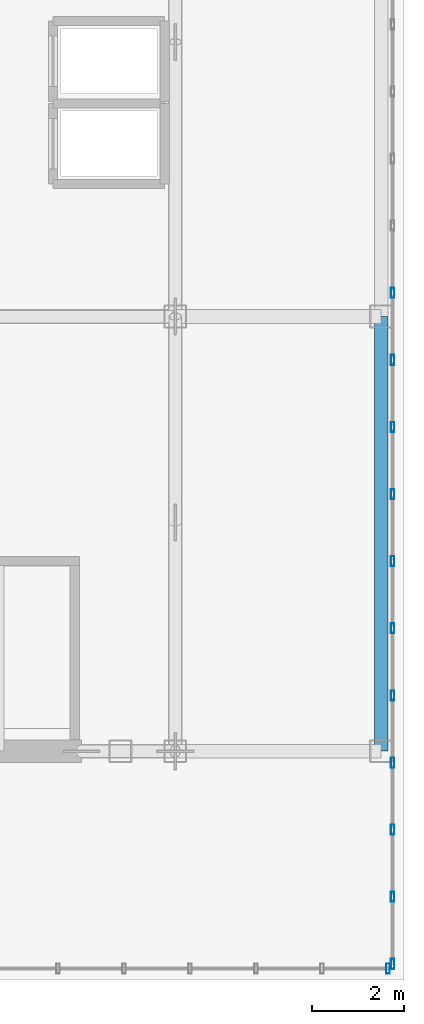
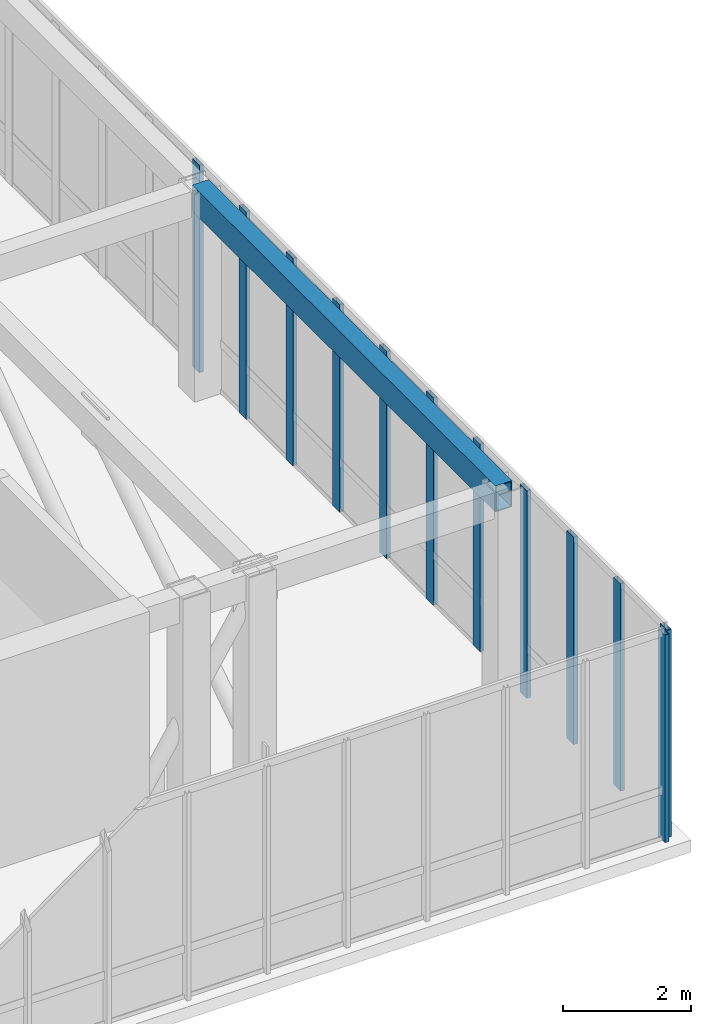
# One storey, part 6 of 13: 12 members, 1 beam, 2 elements without a shape of their own.
"""IFC4 building model written with IfcOpenShell, lengths in metres."""

from ifc_helpers import new_model, si_unit, direction, frame, origin, origin_2d, place, context, subcontext, project, spatial, hollow_rectangle, extrude, source, transform, mapped, material, layer, layer_set, material_profile, profile_set, type_object, element, aggregate, save


model = new_model("IFC4")

# Units and contexts
model_context = context("Model", 3, precision=1e-05, world=origin(), true_north=direction((0.0, 1.0)))
body_context = subcontext(model_context, "Body", "Model", "MODEL_VIEW")
ifc_project = project(units=[si_unit("LENGTHUNIT", "METRE"), si_unit("AREAUNIT", "SQUARE_METRE"), si_unit("VOLUMEUNIT", "CUBIC_METRE"), si_unit("PLANEANGLEUNIT", "RADIAN"), si_unit("MASSUNIT", "GRAM", prefix="KILO")], contexts=[model_context])

# Site, building, storey
site_placement = place(None, origin())
site = spatial("IfcSite", under=ifc_project, at=site_placement, CompositionType="ELEMENT")
building_placement = place(site_placement, origin())
building = spatial("IfcBuilding", under=site, at=building_placement, Name="Kharzan Plaza Tower", CompositionType="ELEMENT")
storey_placement = place(building_placement, frame((0.0, 0.0, 285.60009765625)))
storey = spatial("IfcBuildingStorey", under=building, at=storey_placement, Name="L77-CROWN", CompositionType="ELEMENT", Elevation=285.60009765625)

# Beam
ifc_material_1 = material(Name="Steel S355", Category="steel")
ifc_material_profile_1 = material_profile(ifc_material_1, hollow_rectangle(XDim=0.300048828125, YDim=0.5, WallThickness=0.02001953125, at=origin_2d()), Name="RHS500x300x20")
ifc_profile_set_1 = profile_set([ifc_material_profile_1], Name="Steel S355")
beam_type = type_object("IfcBeamType", Name="BM-CRN500", PredefinedType="BEAM", material=ifc_profile_set_1)
shared_shape_1 = source(origin(), body_context, "Body", "SweptSolid", [
    extrude(hollow_rectangle(XDim=0.300048828125, YDim=0.5, WallThickness=0.02001953125, at=origin_2d()), origin(), (0.0, 0.0, 1.0), 9.5),
])
beam_placement = place(storey_placement, frame((19.0, 8.5, 3.719970703125), z_axis=(0.0, 1.0, 0.0), x_axis=(-1.0, 0.0, 0.0)))
element("IfcBeam", 1, at=beam_placement, inside=storey, type_object=beam_type, Name="L77-CROWN CROWN FRAME Lantern Ring Beam CRB-E1", PredefinedType="BEAM", context=body_context, shape_type="MappedRepresentation", body=[
    mapped(shared_shape_1, transform((0.0, 0.0, 0.0), x_axis=(1.0, 0.0, 0.0), y_axis=(0.0, 1.0, 0.0), z_axis=(0.0, 0.0, 1.0))),
])

# Curtain wall, member
ifc_material_2 = material(Name="Unitised Bronze-Anodized Aluminium and Low-E Glass", Category="aluminium")
ifc_layer = layer(ifc_material_2, 0.199951171875)
ifc_layer_set = layer_set([ifc_layer], Name="Unitised Bronze-Anodized Aluminium and Low-E Glass")
curtain_wall_type = type_object("IfcCurtainWallType", Name="CW-LANTERN-6", PredefinedType="NOTDEFINED", material=ifc_layer_set)
curtain_wall_1_placement = place(storey_placement, origin())
curtain_wall_1 = element("IfcCurtainWall", 2, at=curtain_wall_1_placement, inside=storey, type_object=curtain_wall_type, Name="L77-CROWN Lantern Crown Illuminated Curtain Wall 1", PredefinedType="NOTDEFINED")
ifc_material_3 = material(Name="Anodized Bronze Aluminium", Category="aluminium")
ifc_material_profile_2 = material_profile(ifc_material_3, hollow_rectangle(XDim=0.074951171875, YDim=0.219970703125, WallThickness=0.00390625, at=origin_2d()), Name="ALU-M220x75x4")
ifc_profile_set_2 = profile_set([ifc_material_profile_2], Name="Anodized Bronze Aluminium")
member_type = type_object("IfcMemberType", Name="MEM-CW-MUL200", PredefinedType="MULLION", material=ifc_profile_set_2)
shared_shape_2 = source(origin(), body_context, "Body", "SweptSolid", [
    extrude(hollow_rectangle(XDim=0.074951171875, YDim=0.219970703125, WallThickness=0.00390625, at=origin_2d()), origin(), (0.0, 0.0, 1.0), 3.969970703125),
])
member_1_placement = place(storey_placement, frame((19.14990234375, 3.75, 0.0), z_axis=(0.0, 0.0, 1.0), x_axis=(1.0, 0.0, 0.0)))
member_1 = element("IfcMember", 3, at=member_1_placement, type_object=member_type, Name="L77-CROWN Curtain-Wall Mullion 12", PredefinedType="MULLION", context=body_context, shape_type="MappedRepresentation", body=[
    mapped(shared_shape_2, transform((0.0, 0.0, 0.0), x_axis=(1.0, 0.0, 0.0), y_axis=(0.0, 1.0, 0.0), z_axis=(0.0, 0.0, 1.0))),
])
aggregate(curtain_wall_1, [member_1])

# Curtain wall, members
curtain_wall_2_placement = place(storey_placement, origin())
curtain_wall_2 = element("IfcCurtainWall", 4, at=curtain_wall_2_placement, inside=storey, type_object=curtain_wall_type, Name="L77-CROWN Lantern Crown Illuminated Curtain Wall 2", PredefinedType="NOTDEFINED")
member_2_placement = place(storey_placement, frame((19.25, 3.85009765625, 0.0), z_axis=(0.0, 0.0, 1.0), x_axis=(1.0, 0.0, 0.0)))
member_2 = element("IfcMember", 5, at=member_2_placement, type_object=member_type, Name="L77-CROWN Curtain-Wall Mullion 00", PredefinedType="MULLION", context=body_context, shape_type="MappedRepresentation", body=[
    mapped(shared_shape_2, transform((0.0, 0.0, 0.0), x_axis=(1.0, 0.0, 0.0), y_axis=(0.0, 1.0, 0.0), z_axis=(0.0, 0.0, 1.0))),
])
member_3_placement = place(storey_placement, frame((19.25, 5.316650390625, 0.0), z_axis=(0.0, 0.0, 1.0), x_axis=(1.0, 0.0, 0.0)))
member_3 = element("IfcMember", 6, at=member_3_placement, type_object=member_type, Name="L77-CROWN Curtain-Wall Mullion 01", PredefinedType="MULLION", context=body_context, shape_type="MappedRepresentation", body=[
    mapped(shared_shape_2, transform((0.0, 0.0, 0.0), x_axis=(1.0, 0.0, 0.0), y_axis=(0.0, 1.0, 0.0), z_axis=(0.0, 0.0, 1.0))),
])
member_4_placement = place(storey_placement, frame((19.25, 6.783203125, 0.0), z_axis=(0.0, 0.0, 1.0), x_axis=(1.0, 0.0, 0.0)))
member_4 = element("IfcMember", 7, at=member_4_placement, type_object=member_type, Name="L77-CROWN Curtain-Wall Mullion 02", PredefinedType="MULLION", context=body_context, shape_type="MappedRepresentation", body=[
    mapped(shared_shape_2, transform((0.0, 0.0, 0.0), x_axis=(1.0, 0.0, 0.0), y_axis=(0.0, 1.0, 0.0), z_axis=(0.0, 0.0, 1.0))),
])
member_5_placement = place(storey_placement, frame((19.25, 8.25, 0.0), z_axis=(0.0, 0.0, 1.0), x_axis=(1.0, 0.0, 0.0)))
member_5 = element("IfcMember", 8, at=member_5_placement, type_object=member_type, Name="L77-CROWN Curtain-Wall Mullion 03", PredefinedType="MULLION", context=body_context, shape_type="MappedRepresentation", body=[
    mapped(shared_shape_2, transform((0.0, 0.0, 0.0), x_axis=(1.0, 0.0, 0.0), y_axis=(0.0, 1.0, 0.0), z_axis=(0.0, 0.0, 1.0))),
])
member_6_placement = place(storey_placement, frame((19.25, 9.716796875, 0.0), z_axis=(0.0, 0.0, 1.0), x_axis=(1.0, 0.0, 0.0)))
member_6 = element("IfcMember", 9, at=member_6_placement, type_object=member_type, Name="L77-CROWN Curtain-Wall Mullion 04", PredefinedType="MULLION", context=body_context, shape_type="MappedRepresentation", body=[
    mapped(shared_shape_2, transform((0.0, 0.0, 0.0), x_axis=(1.0, 0.0, 0.0), y_axis=(0.0, 1.0, 0.0), z_axis=(0.0, 0.0, 1.0))),
])
member_7_placement = place(storey_placement, frame((19.25, 11.183349609375, 0.0), z_axis=(0.0, 0.0, 1.0), x_axis=(1.0, 0.0, 0.0)))
member_7 = element("IfcMember", 10, at=member_7_placement, type_object=member_type, Name="L77-CROWN Curtain-Wall Mullion 05", PredefinedType="MULLION", context=body_context, shape_type="MappedRepresentation", body=[
    mapped(shared_shape_2, transform((0.0, 0.0, 0.0), x_axis=(1.0, 0.0, 0.0), y_axis=(0.0, 1.0, 0.0), z_axis=(0.0, 0.0, 1.0))),
])
member_8_placement = place(storey_placement, frame((19.25, 12.64990234375, 0.0), z_axis=(0.0, 0.0, 1.0), x_axis=(1.0, 0.0, 0.0)))
member_8 = element("IfcMember", 11, at=member_8_placement, type_object=member_type, Name="L77-CROWN Curtain-Wall Mullion 06", PredefinedType="MULLION", context=body_context, shape_type="MappedRepresentation", body=[
    mapped(shared_shape_2, transform((0.0, 0.0, 0.0), x_axis=(1.0, 0.0, 0.0), y_axis=(0.0, 1.0, 0.0), z_axis=(0.0, 0.0, 1.0))),
])
member_9_placement = place(storey_placement, frame((19.25, 14.11669921875, 0.0), z_axis=(0.0, 0.0, 1.0), x_axis=(1.0, 0.0, 0.0)))
member_9 = element("IfcMember", 12, at=member_9_placement, type_object=member_type, Name="L77-CROWN Curtain-Wall Mullion 07", PredefinedType="MULLION", context=body_context, shape_type="MappedRepresentation", body=[
    mapped(shared_shape_2, transform((0.0, 0.0, 0.0), x_axis=(1.0, 0.0, 0.0), y_axis=(0.0, 1.0, 0.0), z_axis=(0.0, 0.0, 1.0))),
])
member_10_placement = place(storey_placement, frame((19.25, 15.583251953125, 0.0), z_axis=(0.0, 0.0, 1.0), x_axis=(1.0, 0.0, 0.0)))
member_10 = element("IfcMember", 13, at=member_10_placement, type_object=member_type, Name="L77-CROWN Curtain-Wall Mullion 08", PredefinedType="MULLION", context=body_context, shape_type="MappedRepresentation", body=[
    mapped(shared_shape_2, transform((0.0, 0.0, 0.0), x_axis=(1.0, 0.0, 0.0), y_axis=(0.0, 1.0, 0.0), z_axis=(0.0, 0.0, 1.0))),
])
member_11_placement = place(storey_placement, frame((19.25, 17.050048828125, 0.0), z_axis=(0.0, 0.0, 1.0), x_axis=(1.0, 0.0, 0.0)))
member_11 = element("IfcMember", 14, at=member_11_placement, type_object=member_type, Name="L77-CROWN Curtain-Wall Mullion 09", PredefinedType="MULLION", context=body_context, shape_type="MappedRepresentation", body=[
    mapped(shared_shape_2, transform((0.0, 0.0, 0.0), x_axis=(1.0, 0.0, 0.0), y_axis=(0.0, 1.0, 0.0), z_axis=(0.0, 0.0, 1.0))),
])
member_12_placement = place(storey_placement, frame((19.25, 18.5166015625, 0.0), z_axis=(0.0, 0.0, 1.0), x_axis=(1.0, 0.0, 0.0)))
member_12 = element("IfcMember", 15, at=member_12_placement, type_object=member_type, Name="L77-CROWN Curtain-Wall Mullion 10", PredefinedType="MULLION", context=body_context, shape_type="MappedRepresentation", body=[
    mapped(shared_shape_2, transform((0.0, 0.0, 0.0), x_axis=(1.0, 0.0, 0.0), y_axis=(0.0, 1.0, 0.0), z_axis=(0.0, 0.0, 1.0))),
])
aggregate(curtain_wall_2, [member_2, member_3, member_4, member_5, member_6, member_7, member_8, member_9, member_10, member_11, member_12])

save(model, "model.ifc")
